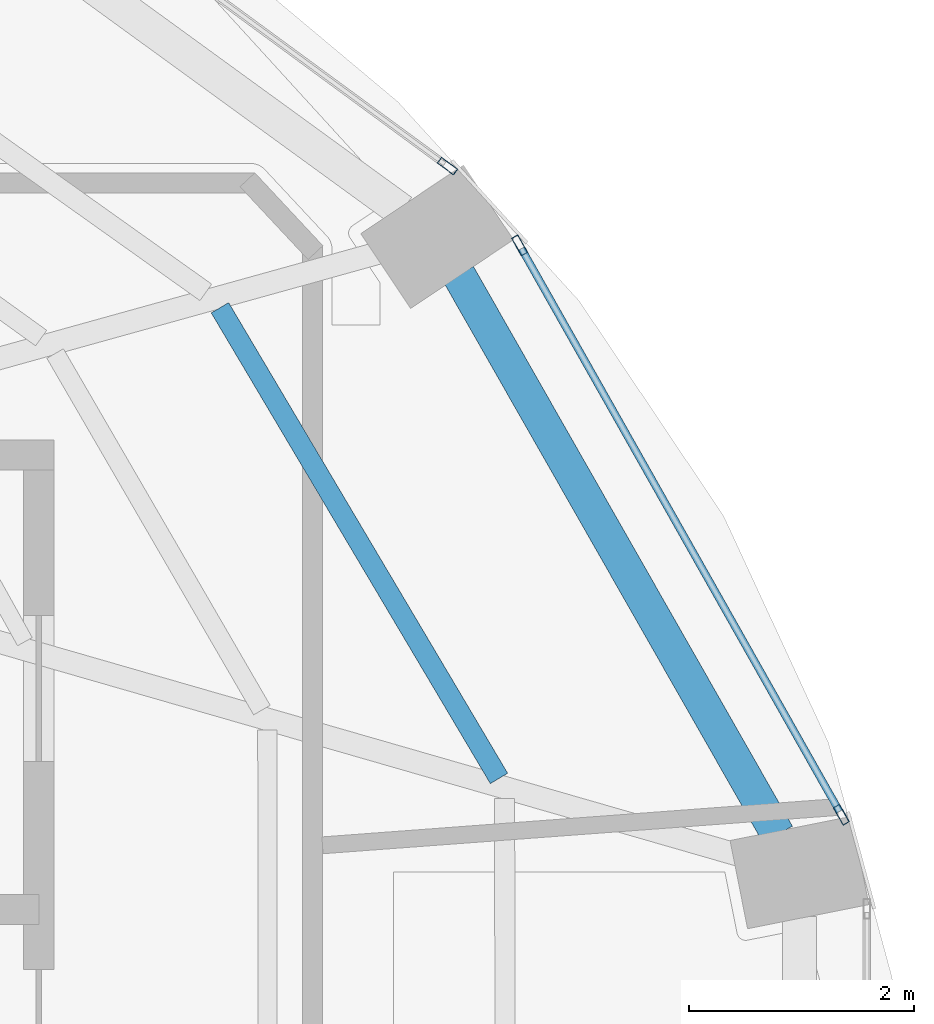
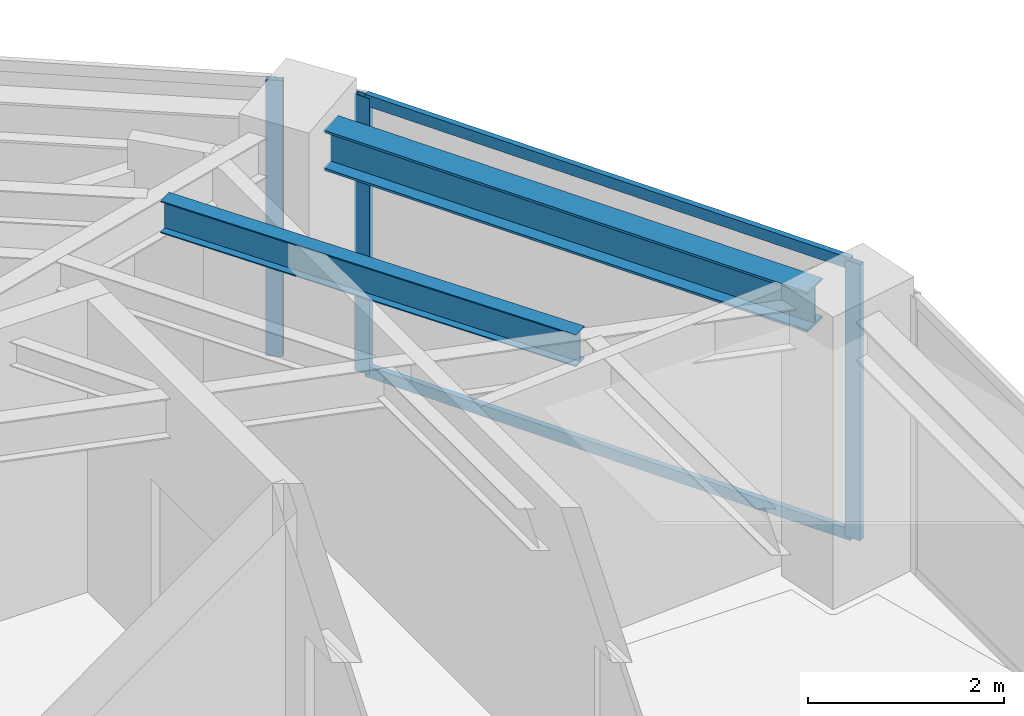
# One storey, part 8 of 15: 5 members, 2 beams, 2 elements without a shape of their own.
"""IFC4 building model written with IfcOpenShell, lengths in metres."""

from ifc_helpers import new_model, si_unit, direction, frame, origin, origin_2d, place, context, subcontext, project, spatial, hollow_rectangle, i_section, extrude, material, layer, layer_set, material_profile, profile_set, type_object, element, aggregate, save


model = new_model("IFC4")

# Units and contexts
model_context = context("Model", 3, precision=1e-05, world=origin(), true_north=direction((0.0, 1.0)))
body_context = subcontext(model_context, "Body", "Model", "MODEL_VIEW")
ifc_project = project(units=[si_unit("LENGTHUNIT", "METRE"), si_unit("AREAUNIT", "SQUARE_METRE"), si_unit("VOLUMEUNIT", "CUBIC_METRE"), si_unit("PLANEANGLEUNIT", "RADIAN"), si_unit("MASSUNIT", "GRAM", prefix="KILO")], contexts=[model_context])

# Site, building, storey
site_placement = place(None, origin())
site = spatial("IfcSite", under=ifc_project, at=site_placement, CompositionType="ELEMENT")
building_placement = place(site_placement, origin())
building = spatial("IfcBuilding", under=site, at=building_placement, Name="Lazwardi Medical Tower", CompositionType="ELEMENT")
storey_placement = place(building_placement, frame((0.0, 0.0, 280.56005859375)))
storey = spatial("IfcBuildingStorey", under=building, at=storey_placement, Name="L73", CompositionType="ELEMENT", Elevation=280.56005859375)

# Beams
ifc_material_1 = material(Name="Steel S355", Category="steel")
ifc_material_profile_1 = material_profile(ifc_material_1, i_section(OverallWidth=0.300048828125, OverallDepth=0.5, WebThickness=0.014404296875, FlangeThickness=0.028076171875, at=origin_2d()), Name="HEB 500")
ifc_profile_set_1 = profile_set([ifc_material_profile_1], Name="Steel S355")
beam_type_1 = type_object("IfcBeamType", Name="BM-RB-Z4", PredefinedType="BEAM", material=ifc_profile_set_1)
beam_1_placement = place(storey_placement, frame((56.991943359375, 32.601806640625, 3.197998046875), z_axis=(-0.495125273299, 0.868821594886, 0.0), x_axis=(-0.868821594886, -0.495125273299, 0.0)))
element("IfcBeam", 1, at=beam_1_placement, inside=storey, type_object=beam_type_1, Name="Ring beam RB-05 B05 L73", PredefinedType="BEAM", context=body_context, shape_type="SweptSolid", body=[
    extrude(i_section(OverallWidth=0.300048828125, OverallDepth=0.5, WebThickness=0.014404296875, FlangeThickness=0.028076171875, at=origin_2d()), origin(), (0.0, 0.0, 1.0), 5.734130859375),
])
ifc_material_profile_2 = material_profile(ifc_material_1, i_section(OverallWidth=0.179931640625, OverallDepth=0.39990234375, WebThickness=0.008544921875, FlangeThickness=0.013427734375, at=origin_2d()), Name="IPE 400")
ifc_profile_set_2 = profile_set([ifc_material_profile_2], Name="Steel S355")
beam_type_2 = type_object("IfcBeamType", Name="BM-SJ-01", PredefinedType="JOIST", material=ifc_profile_set_2)
beam_2_placement = place(storey_placement, frame((54.510986328125, 33.100830078125, 3.248046875), z_axis=(-0.510029083291, 0.860157156685, 0.0), x_axis=(-0.860157156685, -0.510029083291, 0.0)))
element("IfcBeam", 2, at=beam_2_placement, inside=storey, type_object=beam_type_2, Name="Secondary joist SJ-01 R1 B05 L73", PredefinedType="JOIST", context=body_context, shape_type="SweptSolid", body=[
    extrude(i_section(OverallWidth=0.179931640625, OverallDepth=0.39990234375, WebThickness=0.008544921875, FlangeThickness=0.013427734375, at=origin_2d()), origin(), (0.0, 0.0, 1.0), 4.87060546875),
])

# Curtain wall, members
ifc_material_2 = material(Name="Anodised bronze aluminium and solar control glazing", Category="aluminium")
ifc_layer = layer(ifc_material_2, 0.18994140625)
ifc_layer_set = layer_set([ifc_layer], Name="Anodised bronze aluminium and solar control glazing")
curtain_wall_type = type_object("IfcCurtainWallType", Name="CW-SYS-04", PredefinedType="NOTDEFINED", material=ifc_layer_set)
curtain_wall_1_placement = place(storey_placement, origin())
curtain_wall_1 = element("IfcCurtainWall", 3, at=curtain_wall_1_placement, inside=storey, type_object=curtain_wall_type, Name="L73 Unitised bronze curtain wall CW-04", PredefinedType="NOTDEFINED")
ifc_material_3 = material(Name="Anodised bronze aluminium", Category="aluminium")
ifc_material_profile_3 = material_profile(ifc_material_3, hollow_rectangle(XDim=0.06494140625, YDim=0.179931640625, WallThickness=0.00390625, at=origin_2d()), Name="ALU-MULLION 180x65x4")
ifc_profile_set_3 = profile_set([ifc_material_profile_3], Name="Anodised bronze aluminium")
member_type_1 = type_object("IfcMemberType", Name="CW-MUL-03", PredefinedType="MULLION", material=ifc_profile_set_3)
member_1_placement = place(storey_placement, frame((57.557373046875, 32.778076171875, 0.0), z_axis=(0.0, 0.0, 1.0), x_axis=(-0.870651436011, -0.491900474661, 0.0)))
member_1 = element("IfcMember", 4, at=member_1_placement, type_object=member_type_1, Name="CW-04 mullion 1", PredefinedType="MULLION", context=body_context, shape_type="SweptSolid", body=[
    extrude(hollow_rectangle(XDim=0.06494140625, YDim=0.179931640625, WallThickness=0.00390625, at=origin_2d()), origin(), (0.0, 0.0, 1.0), 3.447998046875),
])
member_2_placement = place(storey_placement, frame((54.6943359375, 37.845458984375, 0.0), z_axis=(0.0, 0.0, 1.0), x_axis=(-0.870651436011, -0.491900474661, 0.0)))
member_2 = element("IfcMember", 5, at=member_2_placement, type_object=member_type_1, Name="CW-04 mullion 2", PredefinedType="MULLION", context=body_context, shape_type="SweptSolid", body=[
    extrude(hollow_rectangle(XDim=0.06494140625, YDim=0.179931640625, WallThickness=0.00390625, at=origin_2d()), origin(), (0.0, 0.0, 1.0), 3.447998046875),
])

# Curtain wall, member
curtain_wall_2_placement = place(storey_placement, origin())
curtain_wall_2 = element("IfcCurtainWall", 6, at=curtain_wall_2_placement, inside=storey, type_object=curtain_wall_type, Name="L73 Unitised bronze curtain wall CW-04", PredefinedType="NOTDEFINED")
member_3_placement = place(storey_placement, frame((54.052001953125, 38.551513671875, 0.0), z_axis=(0.0, 0.0, 1.0), x_axis=(-0.591268230971, -0.806474971121, 0.0)))
member_3 = element("IfcMember", 7, at=member_3_placement, type_object=member_type_1, Name="CW-04 mullion 1", PredefinedType="MULLION", context=body_context, shape_type="SweptSolid", body=[
    extrude(hollow_rectangle(XDim=0.06494140625, YDim=0.179931640625, WallThickness=0.00390625, at=origin_2d()), origin(), (0.0, 0.0, 1.0), 3.447998046875),
])
aggregate(curtain_wall_2, [member_3])

# Member
ifc_material_profile_4 = material_profile(ifc_material_3, hollow_rectangle(XDim=0.06494140625, YDim=0.139892578125, WallThickness=0.00341796875, at=origin_2d()), Name="ALU-TRANSOM 140x65x3.5")
ifc_profile_set_4 = profile_set([ifc_material_profile_4], Name="Anodised bronze aluminium")
member_type_2 = type_object("IfcMemberType", Name="CW-TRN-03", PredefinedType="USERDEFINED", material=ifc_profile_set_4)
member_4_placement = place(storey_placement, frame((57.541259765625, 32.806396484375, 0.032470703125), z_axis=(-0.491879719484, 0.87066316194, 0.0), x_axis=(-0.87066316194, -0.491879719484, 0.0)))
member_4 = element("IfcMember", 8, at=member_4_placement, type_object=member_type_2, Name="CW-04 transom 1.1", ObjectType="TRANSOM", PredefinedType="USERDEFINED", context=body_context, shape_type="SweptSolid", body=[
    extrude(hollow_rectangle(XDim=0.06494140625, YDim=0.139892578125, WallThickness=0.00341796875, at=origin_2d()), origin(), (0.0, 0.0, 1.0), 5.755126953125),
])

member_5_placement = place(storey_placement, frame((57.541259765625, 32.806396484375, 3.41552734375), z_axis=(-0.491879719484, 0.87066316194, 0.0), x_axis=(-0.87066316194, -0.491879719484, 0.0)))
member_5 = element("IfcMember", 9, at=member_5_placement, type_object=member_type_2, Name="CW-04 transom 1.2", ObjectType="TRANSOM", PredefinedType="USERDEFINED", context=body_context, shape_type="SweptSolid", body=[
    extrude(hollow_rectangle(XDim=0.06494140625, YDim=0.139892578125, WallThickness=0.00341796875, at=origin_2d()), origin(), (0.0, 0.0, 1.0), 5.755126953125),
])

aggregate(curtain_wall_1, [member_1, member_2, member_4, member_5])

save(model, "model.ifc")
